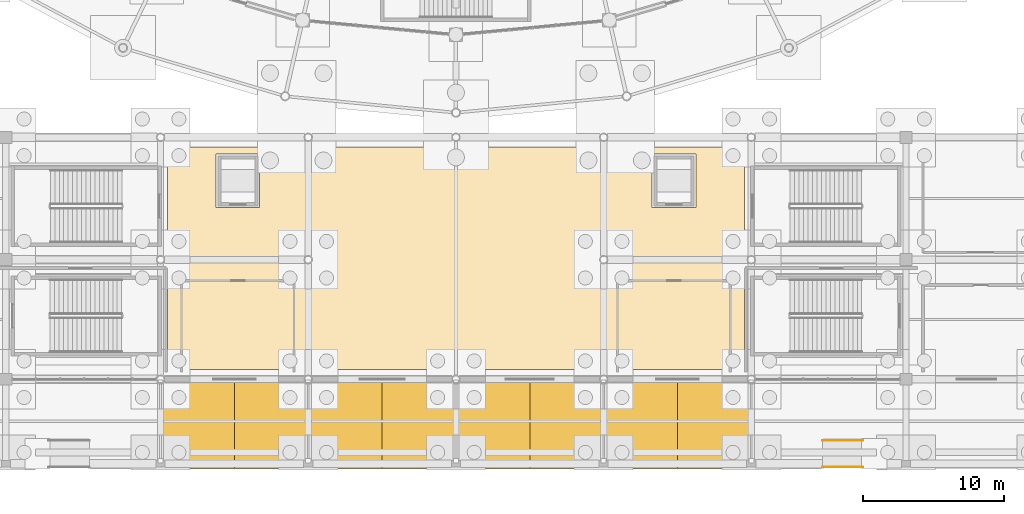
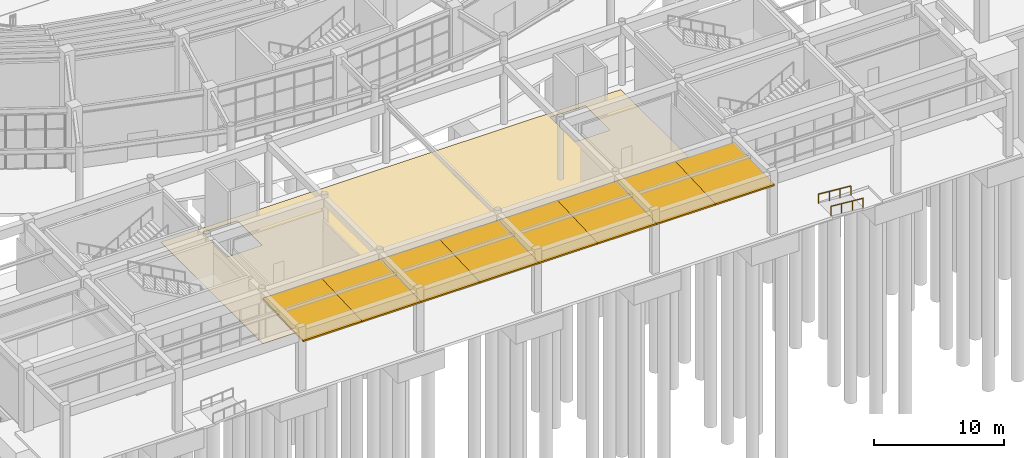
# One storey, part 104 of 121: 8 shading devices, 2 railings, 1 covering.
"""IFC4 building model written with IfcOpenShell, lengths in metres."""

from ifc_helpers import new_model, si_unit, direction, frame, origin, origin_2d, place, context, subcontext, project, spatial, polyline, circle, outline, extrude, material, layer, layer_set, type_object, element, save


model = new_model("IFC4")

# Units and contexts
model_context = context("Model", 3, precision=1e-05, world=origin(), true_north=direction((0.0, 1.0)))
body_context = subcontext(model_context, "Body", "Model", "MODEL_VIEW")
ifc_project = project(units=[si_unit("LENGTHUNIT", "METRE"), si_unit("AREAUNIT", "SQUARE_METRE"), si_unit("VOLUMEUNIT", "CUBIC_METRE"), si_unit("PLANEANGLEUNIT", "RADIAN"), si_unit("MASSUNIT", "GRAM", prefix="KILO")], contexts=[model_context])

# Site, building, storey
site_placement = place(None, origin())
site = spatial("IfcSite", under=ifc_project, at=site_placement, CompositionType="ELEMENT")
building_placement = place(site_placement, origin())
building = spatial("IfcBuilding", under=site, at=building_placement, Name="Cuetzalor Civic Arena", CompositionType="ELEMENT")
storey_placement = place(building_placement, origin())
storey = spatial("IfcBuildingStorey", under=building, at=storey_placement, Name="L00", CompositionType="ELEMENT", Elevation=0.0)

# Shading devices
ifc_material_1 = material(Name="Reseda-green wrought Steel S355 and laminated glass", Category="steel")
ifc_layer_1 = layer(ifc_material_1, 0.139892578125)
ifc_layer_set_1 = layer_set([ifc_layer_1], Name="Reseda-green wrought Steel S355 and laminated glass")
shading_device_type = type_object("IfcShadingDeviceType", Name="ArtNouveauEntranceCanopy", PredefinedType="AWNING", material=ifc_layer_set_1)
for number, where, z_axis, x_axis, name in (
    (1, (-21.0, -65.64990234375, 5.02001953125), (0.0, -0.038677919748, 0.999251729307), (1.0, 0.0, 0.0), "South Civic Entrance Canopy Bay 01"),
    (2, (-15.75, -65.64990234375, 5.02001953125), (0.0, -0.038677919748, 0.999251729307), (1.0, 0.0, 0.0), "South Civic Entrance Canopy Bay 02"),
    (3, (-10.5, -65.64990234375, 5.02001953125), (0.0, -0.038677919748, 0.999251729307), (1.0, 0.0, 0.0), "South Civic Entrance Canopy Bay 03"),
    (4, (-5.25, -65.64990234375, 5.02001953125), (0.0, -0.038677919748, 0.999251729307), (1.0, 0.0, 0.0), "South Civic Entrance Canopy Bay 04"),
    (5, (0.0, -65.64990234375, 5.02001953125), (0.0, -0.038677919748, 0.999251729307), (1.0, 0.0, 0.0), "South Civic Entrance Canopy Bay 05"),
    (6, (5.25, -65.64990234375, 5.02001953125), (0.0, -0.038677919748, 0.999251729307), (1.0, 0.0, 0.0), "South Civic Entrance Canopy Bay 06"),
    (7, (10.5, -65.64990234375, 5.02001953125), (0.0, -0.038677919748, 0.999251729307), (1.0, 0.0, 0.0), "South Civic Entrance Canopy Bay 07"),
    (8, (15.75, -65.64990234375, 5.02001953125), (0.0, -0.038677919748, 0.999251729307), (1.0, 0.0, 0.0), "South Civic Entrance Canopy Bay 08"),
):
    element("IfcShadingDevice", number, at=place(storey_placement, frame(where, z_axis=z_axis, x_axis=x_axis)), inside=storey, type_object=shading_device_type, Name=name, PredefinedType="AWNING", context=body_context, shape_type="SweptSolid", body=[
        extrude(outline(polyline([(0.0, 0.0), (5.25, 0.0), (5.25, -6.204838211085148), (0.0, -6.204838211085148), (0.0, 0.0)])), origin(), (0.0, 0.0, -1.0), 0.139892578125),
    ])

# Covering
ifc_material_2 = material(Name="Honed Puebla marble and basalt terrazzo flooring", Category="masonry")
ifc_layer_2 = layer(ifc_material_2, 0.030029296875)
ifc_layer_set_2 = layer_set([ifc_layer_2], Name="Honed Puebla marble and basalt terrazzo flooring")
covering_type = type_object("IfcCoveringType", Name="PoblanoTerrazzoFlooring_30", PredefinedType="FLOORING", material=ifc_layer_set_2)
covering_placement = place(storey_placement, origin())
element("IfcCovering", 9, at=covering_placement, inside=storey, type_object=covering_type, Name="South Foyer Poblano Terrazzo", PredefinedType="FLOORING", context=body_context, shape_type="SweptSolid", body=[
    extrude(outline(polyline([(-20.5, -49.0), (20.5, -49.0), (20.5, -64.800048828125), (-20.5, -64.800048828125), (-20.5, -49.0)]), holes=[polyline([(-17.050048828125, -53.300048828125), (-13.949951171875, -53.300048828125), (-13.949951171875, -49.5), (-17.050048828125, -49.5), (-17.050048828125, -53.300048828125)]), polyline([(13.949951171875, -53.300048828125), (17.050048828125, -53.300048828125), (17.050048828125, -49.5), (13.949951171875, -49.5), (13.949951171875, -53.300048828125)])]), origin(), (0.0, 0.0, 1.0), 0.030029296875),
])

# Railings
ifc_material_3 = material(Name="Galvanised steel S355", Category="steel")
railing_type = type_object("IfcRailingType", Name="StairPitchHandrail_900", PredefinedType="HANDRAIL", material=ifc_material_3)
for number, where, name in (
    (10, (28.949951171875, -71.75, -0.239990234375), "Accessible Ramp RMP-S2 Handrail L"),
    (11, (28.949951171875, -69.85009765625, -0.239990234375), "Accessible Ramp RMP-S2 Handrail R"),
):
    element("IfcRailing", number, at=place(storey_placement, frame(where)), inside=storey, type_object=railing_type, Name=name, PredefinedType="HANDRAIL", context=body_context, shape_type="SweptSolid", body=[
        extrude(circle(Radius=0.02392578125, at=origin_2d()), frame((0.0, 0.0, 0.8759765625), z_axis=(-0.996545758245, 0.0, 0.083045479854), x_axis=(0.0, -1.0, 0.0)), (0.0, 0.0, 1.0), 2.889892578125),
        extrude(circle(Radius=0.02099609375, at=origin_2d()), origin(), (0.0, 0.0, 1.0), 0.851806640625),
        extrude(circle(Radius=0.02099609375, at=origin_2d()), frame((-0.9599609375, 0.0, 0.080078125)), (0.0, 0.0, 1.0), 0.851806640625),
        extrude(circle(Radius=0.02099609375, at=origin_2d()), frame((-1.919921875, 0.0, 0.159912109375)), (0.0, 0.0, 1.0), 0.851806640625),
        extrude(circle(Radius=0.02099609375, at=origin_2d()), frame((-2.8798828125, 0.0, 0.239990234375)), (0.0, 0.0, 1.0), 0.851806640625),
    ])

save(model, "model.ifc")
